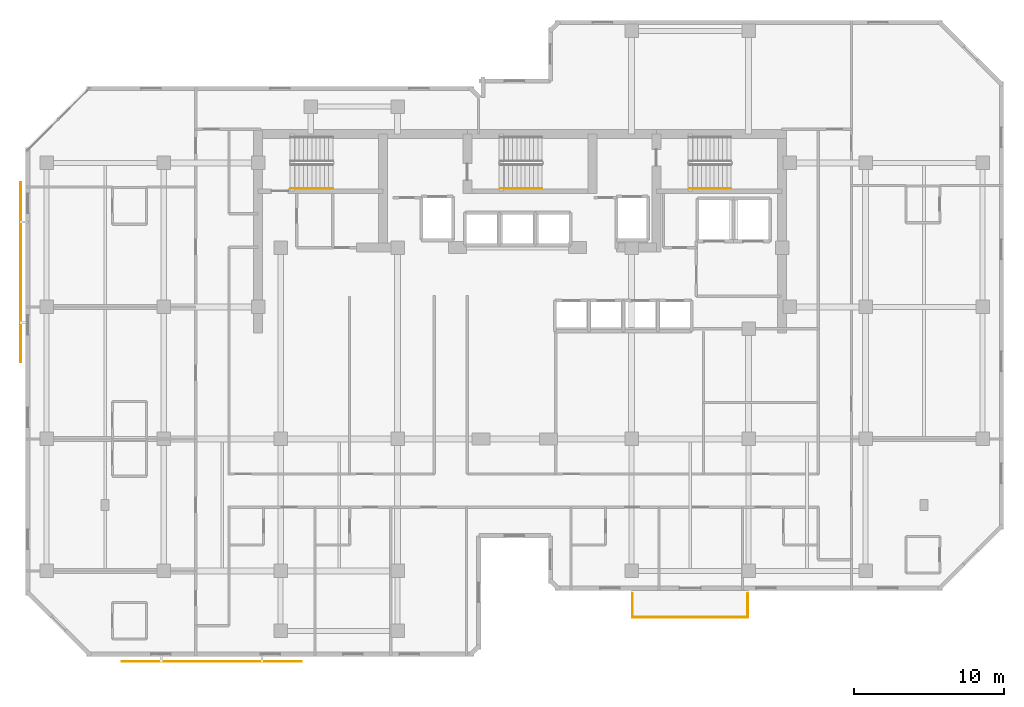
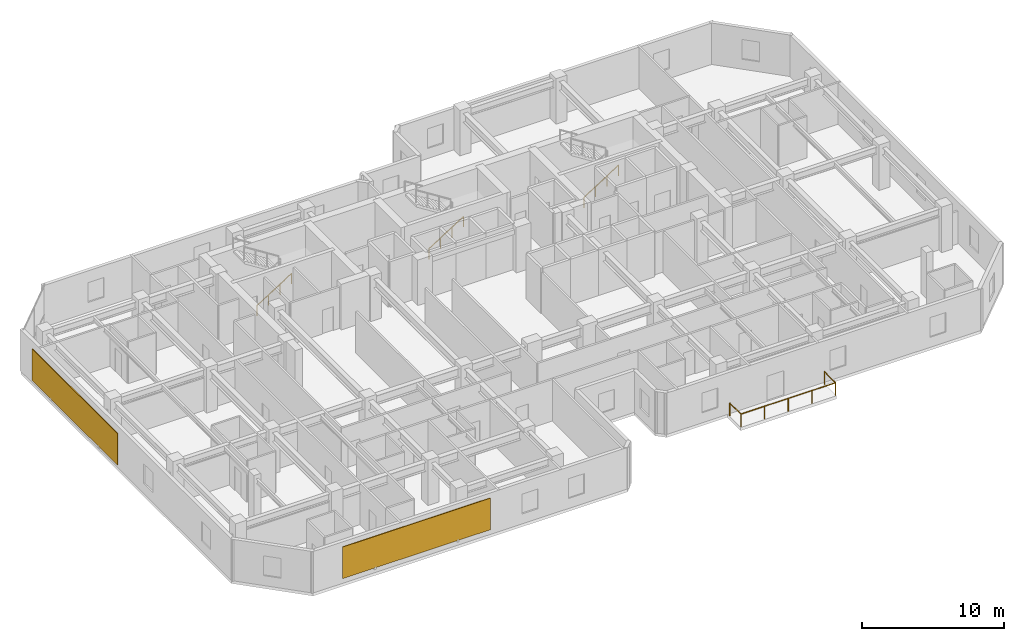
# One storey, part 10 of 11: 5 railings, 2 shading devices.
"""IFC4 building model written with IfcOpenShell, lengths in metres."""

import ifcopenshell
import ifcopenshell.guid

model = None  # the IFC model being written
_history = None  # IfcOwnerHistory: only IFC2X3 demands one
_inside = {}  # id of a spatial element -> (the spatial element, [elements in it])
_under = {}  # id of a project, library or spatial element -> (it, [spatial elements below it])
_declared = {}  # id of a project -> (the project, [libraries it declares])
_typed = {}  # id of a type object -> (the type object, [elements of that type])
_made_of = {}  # id of a material, layer set ... -> (it, [elements and type objects made of it])


def new_model(schema):
    """Start an empty IFC model of exactly this schema.

    Asked for "IFC4X3", IfcOpenShell would pick the latest addendum, in which some entities
    have other attributes; the version numbers below select the first issue.
    IFC2X3 requires an IfcOwnerHistory on every rooted entity: one is made here for all.
    """
    global model, _history
    if schema == "IFC4X3":
        model = ifcopenshell.file(schema_version=(4, 3, 0, 0))
    else:
        model = ifcopenshell.file(schema=schema)
    _inside.clear()
    _under.clear()
    _declared.clear()
    _typed.clear()
    _made_of.clear()
    _history = None
    if model.schema == "IFC2X3":
        org = make("IfcOrganization", Name="unknown")
        user = make(
            "IfcPersonAndOrganization",
            ThePerson=make("IfcPerson", FamilyName="unknown"),
            TheOrganization=org,
        )
        app = make(
            "IfcApplication",
            ApplicationDeveloper=org,
            Version="unknown",
            ApplicationFullName="unknown",
            ApplicationIdentifier="unknown",
        )
        _history = make(
            "IfcOwnerHistory",
            OwningUser=user,
            OwningApplication=app,
            ChangeAction="ADDED",
            CreationDate=0,
        )
    return model


def make(cls, **values):
    """One entity of the class cls with the attributes given. An attribute that is None is left unset."""
    return model.create_entity(
        cls, **{name: value for name, value in values.items() if value is not None}
    )


def rooted(cls, **values):
    """An entity with a GlobalId (a new one), such as an element, a storey or a relation."""
    return make(cls, GlobalId=ifcopenshell.guid.new(), OwnerHistory=_history, **values)


def si_unit(unit_type, name, prefix=None):
    """IfcSIUnit, for example si_unit("LENGTHUNIT", "METRE", prefix="MILLI")."""
    return make("IfcSIUnit", UnitType=unit_type, Prefix=prefix, Name=name)


def assignment(units):
    """IfcUnitAssignment: the units of a project."""
    return None if units is None else make("IfcUnitAssignment", Units=units)


def point(xyz):
    """IfcCartesianPoint."""
    return None if xyz is None else make("IfcCartesianPoint", Coordinates=xyz)


def direction(xyz):
    """IfcDirection."""
    return None if xyz is None else make("IfcDirection", DirectionRatios=xyz)


def frame(location, z_axis=None, x_axis=None):
    """IfcAxis2Placement3D, a coordinate frame: its origin and axes. An axis left out is left unset."""
    return make(
        "IfcAxis2Placement3D",
        Location=point(location),
        Axis=direction(z_axis),
        RefDirection=direction(x_axis),
    )


def frame_2d(location, x_axis=None):
    """IfcAxis2Placement2D, a coordinate frame in the plane: its origin and x axis."""
    return make(
        "IfcAxis2Placement2D", Location=point(location), RefDirection=direction(x_axis)
    )


def origin():
    """The frame at (0, 0, 0) with its axes left unset."""
    return frame((0.0, 0.0, 0.0))


def origin_2d():
    """The frame at (0, 0) in the plane with its x axis left unset."""
    return frame_2d((0.0, 0.0))


def place(relative_to, where):
    """IfcLocalPlacement: puts the frame where relative to a parent placement (None: the world)."""
    return make(
        "IfcLocalPlacement", PlacementRelTo=relative_to, RelativePlacement=where
    )


def context(
    kind, dimensions, precision=None, world=None, true_north=None, identifier=None
):
    """IfcGeometricRepresentationContext, for example the 3D "Model" context."""
    return make(
        "IfcGeometricRepresentationContext",
        ContextIdentifier=identifier,
        ContextType=kind,
        CoordinateSpaceDimension=dimensions,
        Precision=precision,
        WorldCoordinateSystem=world,
        TrueNorth=true_north,
    )


def subcontext(parent, identifier, kind, view, scale=None):
    """IfcGeometricRepresentationSubContext, for example "Body" below "Model"."""
    return make(
        "IfcGeometricRepresentationSubContext",
        ContextIdentifier=identifier,
        ContextType=kind,
        ParentContext=parent,
        TargetScale=scale,
        TargetView=view,
    )


def project(units=None, contexts=None):
    """IfcProject with its units and contexts."""
    return rooted(
        "IfcProject",
        Name="project",
        RepresentationContexts=contexts,
        UnitsInContext=assignment(units),
    )


def spatial(cls, under=None, at=None, **own):
    """A site, building, storey or space (cls), placed at a placement, below another one or the project."""
    s = rooted(cls, ObjectPlacement=at, **own)
    if under is not None:
        _under.setdefault(under.id(), (under, []))[1].append(s)
    return s


def profile(cls, at=None, kind="AREA", **sizes):
    """A parametric profile (cls). Its sizes go by their IFC names, for example OverallWidth=200.0."""
    return make(cls, ProfileType=kind, Position=at, **sizes)


def rectangle(**sizes):
    """IfcRectangleProfileDef."""
    return profile("IfcRectangleProfileDef", **sizes)


def circle(**sizes):
    """IfcCircleProfileDef."""
    return profile("IfcCircleProfileDef", **sizes)


def extrude(swept, where, along, depth):
    """IfcExtrudedAreaSolid: the profile swept, set in the frame where, extruded along a direction by depth."""
    return make(
        "IfcExtrudedAreaSolid",
        SweptArea=swept,
        Position=where,
        ExtrudedDirection=direction(along),
        Depth=depth,
    )


def shape(context_of_items, identifier, shape_type, items):
    """IfcShapeRepresentation: the items that make up one representation, for example the "Body"."""
    return make(
        "IfcShapeRepresentation",
        ContextOfItems=context_of_items,
        RepresentationIdentifier=identifier,
        RepresentationType=shape_type,
        Items=items,
    )


def material(Name=None, Category=None):
    """IfcMaterial."""
    return make("IfcMaterial", Name=Name, Category=Category)


def layer(
    of_material, thickness, ventilated=None, Name=None, Category=None, Priority=None
):
    """IfcMaterialLayer: one layer of a wall or slab, of a material (None: an air gap)."""
    return make(
        "IfcMaterialLayer",
        Material=of_material,
        LayerThickness=thickness,
        IsVentilated=ventilated,
        Name=Name,
        Category=Category,
        Priority=Priority,
    )


def layer_set(layers, Name=None):
    """IfcMaterialLayerSet."""
    return make("IfcMaterialLayerSet", MaterialLayers=layers, LayerSetName=Name)


def made_of(thing, what):
    """Note that an element or type object is made of a material, layer set ...; save() writes the relation."""
    if what is not None:
        _made_of.setdefault(what.id(), (what, []))[1].append(thing)
    return thing


def type_object(cls, material=None, **own):
    """A type object (cls), such as IfcWallType, which elements share."""
    return made_of(rooted(cls, **own), material)


def element(
    cls,
    number,
    at=None,
    inside=None,
    cuts=None,
    type_object=None,
    material=None,
    context=None,
    identifier="Body",
    shape_type=None,
    held_by="IfcProductDefinitionShape",
    body=None,
    shapes=None,
    **own,
):
    """One element of the class cls, such as IfcWall. Its Tag is "e" and its number.

    at: its placement. inside: the storey or other place that contains it. cuts: it is an
    opening in that element (IfcRelVoidsElement). A single representation is given by context,
    identifier, shape_type and body (its items); several are given by shapes. held_by: the class
    of the entity that holds the representations. save() writes the other relations.
    """
    e = rooted(cls, Tag="e%d" % number, ObjectPlacement=at, **own)
    if body is not None:
        shapes = [shape(context, identifier, shape_type, body)]
    if shapes is not None:
        e.Representation = make(held_by, Representations=shapes)
    if inside is not None:
        _inside.setdefault(inside.id(), (inside, []))[1].append(e)
    if cuts is not None:
        rooted(
            "IfcRelVoidsElement", RelatingBuildingElement=cuts, RelatedOpeningElement=e
        )
    if type_object is not None:
        _typed.setdefault(type_object.id(), (type_object, []))[1].append(e)
    return made_of(e, material)


def aggregate(whole, parts):
    """IfcRelAggregates: a whole, such as a stair, and the parts it consists of."""
    return rooted("IfcRelAggregates", RelatingObject=whole, RelatedObjects=parts)


def save(model, path):
    """Write the relations noted so far, then the file.

    IfcRelAggregates (storeys below a building ...), IfcRelContainedInSpatialStructure (elements
    in a storey), IfcRelDefinesByType, IfcRelAssociatesMaterial and IfcRelDeclares: one each for
    every whole, place, type object, material and project.
    """
    for whole, parts in _under.values():
        aggregate(whole, parts)
    for where, things in _inside.values():
        rooted(
            "IfcRelContainedInSpatialStructure",
            RelatedElements=things,
            RelatingStructure=where,
        )
    for kind, things in _typed.values():
        rooted("IfcRelDefinesByType", RelatedObjects=things, RelatingType=kind)
    for what, things in _made_of.values():
        rooted("IfcRelAssociatesMaterial", RelatedObjects=things, RelatingMaterial=what)
    for by, libraries in _declared.values():
        rooted("IfcRelDeclares", RelatingContext=by, RelatedDefinitions=libraries)
    model.write(path)


model = new_model("IFC4")

# Units and contexts
model_context = context("Model", 3, precision=1e-05, world=origin(), true_north=direction((0.0, 1.0)))
body_context = subcontext(model_context, "Body", "Model", "MODEL_VIEW")
ifc_project = project(units=[si_unit("LENGTHUNIT", "METRE"), si_unit("AREAUNIT", "SQUARE_METRE"), si_unit("VOLUMEUNIT", "CUBIC_METRE"), si_unit("PLANEANGLEUNIT", "RADIAN"), si_unit("MASSUNIT", "GRAM", prefix="KILO")], contexts=[model_context])

# Site, building, storey
site_placement = place(None, origin())
site = spatial("IfcSite", under=ifc_project, at=site_placement, CompositionType="ELEMENT")
building_placement = place(site_placement, origin())
building = spatial("IfcBuilding", under=site, at=building_placement, Name="Kestravale Grand Hotel", CompositionType="ELEMENT")
storey_placement = place(building_placement, frame((0.0, 0.0, 228.0)))
storey = spatial("IfcBuildingStorey", under=building, at=storey_placement, Name="L57", CompositionType="ELEMENT", Elevation=228.0)

# Railings
ifc_material_1 = material(Name="Champagne-bronze stainless steel and laminated glass guard", Category="steel")
railing_type_1 = type_object("IfcRailingType", Name="RL-EXT-1100", PredefinedType="GUARDRAIL", material=ifc_material_1)
railing_1_placement = place(storey_placement, frame((46.860107421875, 8.110107421875, 0.0)))
element("IfcRailing", 1, at=railing_1_placement, inside=storey, type_object=railing_type_1, Name="L57 outdoor terrace guard 1", PredefinedType="GUARDRAIL", context=body_context, shape_type="SweptSolid", body=[
    extrude(circle(Radius=0.02392578125, at=origin_2d()), frame((0.0, 0.0, 1.09619140625), z_axis=(0.0, 1.0, 0.0), x_axis=(-1.0, 0.0, 0.0)), (0.0, 0.0, 1.0), 1.56982421875),
    extrude(circle(Radius=0.02099609375, at=origin_2d()), origin(), (0.0, 0.0, 1.0), 1.072021484375),
    extrude(circle(Radius=0.02099609375, at=origin_2d()), frame((0.0, 1.56982421875, 0.0)), (0.0, 0.0, 1.0), 1.072021484375),
])
railing_2_placement = place(storey_placement, frame((54.5400390625, 9.679931640625, 0.0)))
element("IfcRailing", 2, at=railing_2_placement, inside=storey, type_object=railing_type_1, Name="L57 outdoor terrace guard 2", PredefinedType="GUARDRAIL", context=body_context, shape_type="SweptSolid", body=[
    extrude(circle(Radius=0.02392578125, at=origin_2d()), frame((0.0, 0.0, 1.09619140625), z_axis=(0.0, -1.0, 0.0), x_axis=(1.0, 0.0, 0.0)), (0.0, 0.0, 1.0), 1.56982421875),
    extrude(circle(Radius=0.02392578125, at=origin_2d()), frame((0.0, -1.56982421875, 1.09619140625), z_axis=(-1.0, 0.0, 0.0), x_axis=(0.0, -1.0, 0.0)), (0.0, 0.0, 1.0), 7.679931640625),
    extrude(circle(Radius=0.02099609375, at=origin_2d()), origin(), (0.0, 0.0, 1.0), 1.072021484375),
    extrude(circle(Radius=0.02099609375, at=origin_2d()), frame((0.0, -1.56982421875, 0.0)), (0.0, 0.0, 1.0), 1.072021484375),
    extrude(circle(Radius=0.02099609375, at=origin_2d()), frame((-1.919921875, -1.56982421875, 0.0)), (0.0, 0.0, 1.0), 1.072021484375),
    extrude(circle(Radius=0.02099609375, at=origin_2d()), frame((-3.83984375, -1.56982421875, 0.0)), (0.0, 0.0, 1.0), 1.072021484375),
    extrude(circle(Radius=0.02099609375, at=origin_2d()), frame((-5.760009765625, -1.56982421875, 0.0)), (0.0, 0.0, 1.0), 1.072021484375),
    extrude(circle(Radius=0.02099609375, at=origin_2d()), frame((-7.679931640625, -1.56982421875, 0.0)), (0.0, 0.0, 1.0), 1.072021484375),
])
ifc_material_2 = material(Name="Brushed stainless steel wall handrail", Category="steel")
railing_type_2 = type_object("IfcRailingType", Name="RL-ST-HND900", PredefinedType="HANDRAIL", material=ifc_material_2)
railing_3_placement = place(storey_placement, frame((24.080078125, 36.699951171875, 0.17724609375)))
element("IfcRailing", 3, at=railing_3_placement, inside=storey, type_object=railing_type_2, Name="L57 ST-1 stair handrail 1", PredefinedType="HANDRAIL", context=body_context, shape_type="SweptSolid", body=[
    extrude(circle(Radius=0.02392578125, at=origin_2d()), frame((0.0, 0.0, 0.8759765625), z_axis=(0.844887892834, 0.0, 0.53494340686), x_axis=(0.0, 1.0, 0.0)), (0.0, 0.0, 1.0), 3.313720703125),
    extrude(circle(Radius=0.02099609375, at=origin_2d()), origin(), (0.0, 0.0, 1.0), 0.851806640625),
    extrude(circle(Radius=0.02099609375, at=origin_2d()), frame((0.933349609375, 0.0, 0.5908203125)), (0.0, 0.0, 1.0), 0.851806640625),
    extrude(circle(Radius=0.02099609375, at=origin_2d()), frame((1.866455078125, 0.0, 1.181884765625)), (0.0, 0.0, 1.0), 0.851806640625),
    extrude(circle(Radius=0.02099609375, at=origin_2d()), frame((2.7998046875, 0.0, 1.772705078125)), (0.0, 0.0, 1.0), 0.851806640625),
])
for number, where, name in (
    (4, (38.030029296875, 36.699951171875, 0.17724609375), "L57 ST-2 stair handrail 1"),
    (5, (50.6298828125, 36.699951171875, 0.17724609375), "L57 ST-3 stair handrail 1"),
):
    element("IfcRailing", number, at=place(storey_placement, frame(where)), inside=storey, type_object=railing_type_2, Name=name, PredefinedType="HANDRAIL", context=body_context, shape_type="SweptSolid", body=[
        extrude(circle(Radius=0.02392578125, at=origin_2d()), frame((0.0, 0.0, 0.8759765625), z_axis=(0.844908973607, 0.0, 0.534910110503), x_axis=(0.0, 1.0, 0.0)), (0.0, 0.0, 1.0), 3.31396484375),
        extrude(circle(Radius=0.02099609375, at=origin_2d()), origin(), (0.0, 0.0, 1.0), 0.851806640625),
        extrude(circle(Radius=0.02099609375, at=origin_2d()), frame((0.933349609375, 0.0, 0.5908203125)), (0.0, 0.0, 1.0), 0.851806640625),
        extrude(circle(Radius=0.02099609375, at=origin_2d()), frame((1.86669921875, 0.0, 1.181884765625)), (0.0, 0.0, 1.0), 0.851806640625),
        extrude(circle(Radius=0.02099609375, at=origin_2d()), frame((2.800048828125, 0.0, 1.772705078125)), (0.0, 0.0, 1.0), 0.851806640625),
    ])

# Shading devices
ifc_material_3 = material(Name="Perforated champagne-bronze aluminium and ceramic solar screen", Category="aluminium")
ifc_layer = layer(ifc_material_3, 0.06494140625)
ifc_layer_set = layer_set([ifc_layer], Name="SHD-SCR-CHEV")
shading_device_type = type_object("IfcShadingDeviceType", Name="SHD-SCR-CHEV", PredefinedType="USERDEFINED", material=ifc_layer_set)
for number, where, z_axis, x_axis, name in (
    (6, (18.800048828125, 5.159912109375, 0.699951171875), (0.0, 0.0, 1.0), (1.0, 0.0, 0.0), "L57 Perforated bronze ceramic chevron solar screen SCR-L57-01"),
    (7, (6.06005859375, 31.10009765625, 0.699951171875), (0.0, 0.0, 1.0), (0.0, -1.0, 0.0), "L57 Perforated bronze ceramic chevron solar screen SCR-L57-19"),
):
    element("IfcShadingDevice", number, at=place(storey_placement, frame(where, z_axis=z_axis, x_axis=x_axis)), inside=storey, type_object=shading_device_type, Name=name, ObjectType="SCREEN", PredefinedType="USERDEFINED", context=body_context, shape_type="SweptSolid", body=[
        extrude(rectangle(XDim=12.0, YDim=0.06494140625, at=origin_2d()), origin(), (0.0, 0.0, 1.0), 2.7099609375),
    ])

save(model, "model.ifc")
